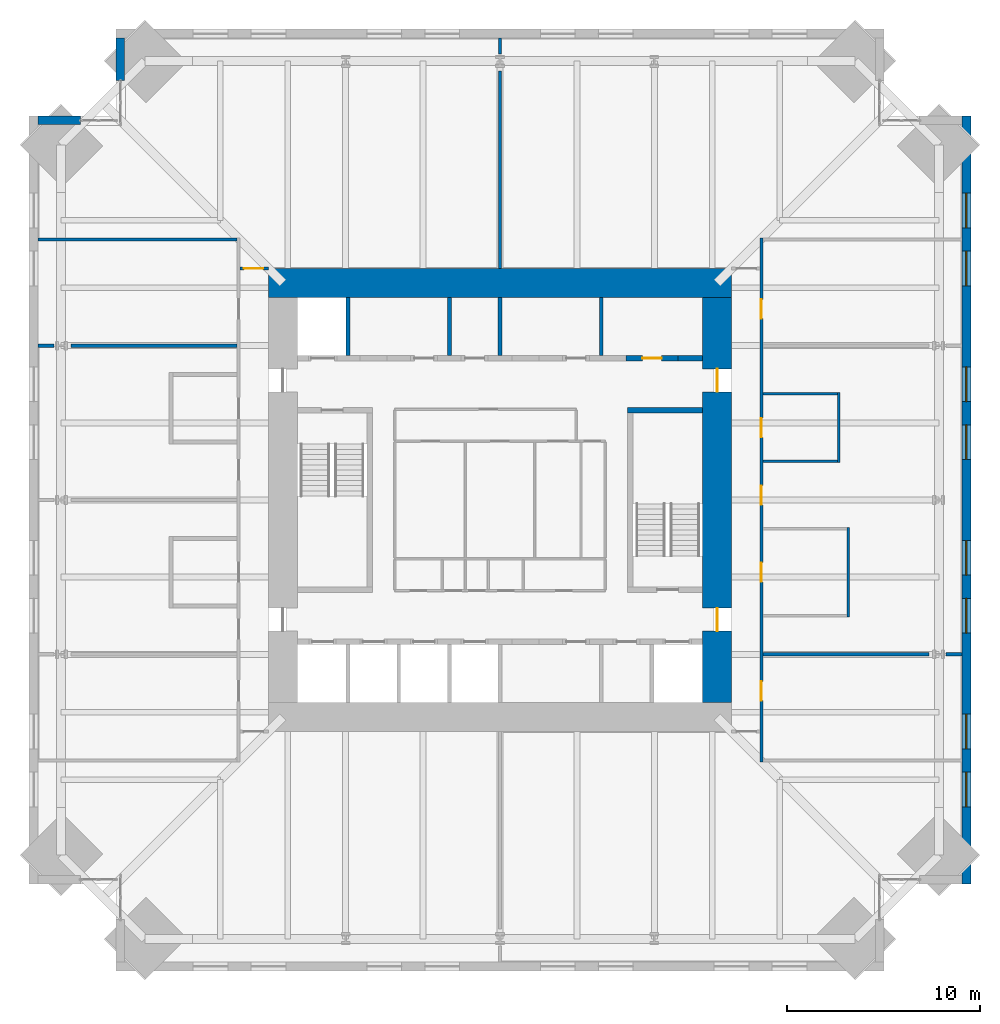
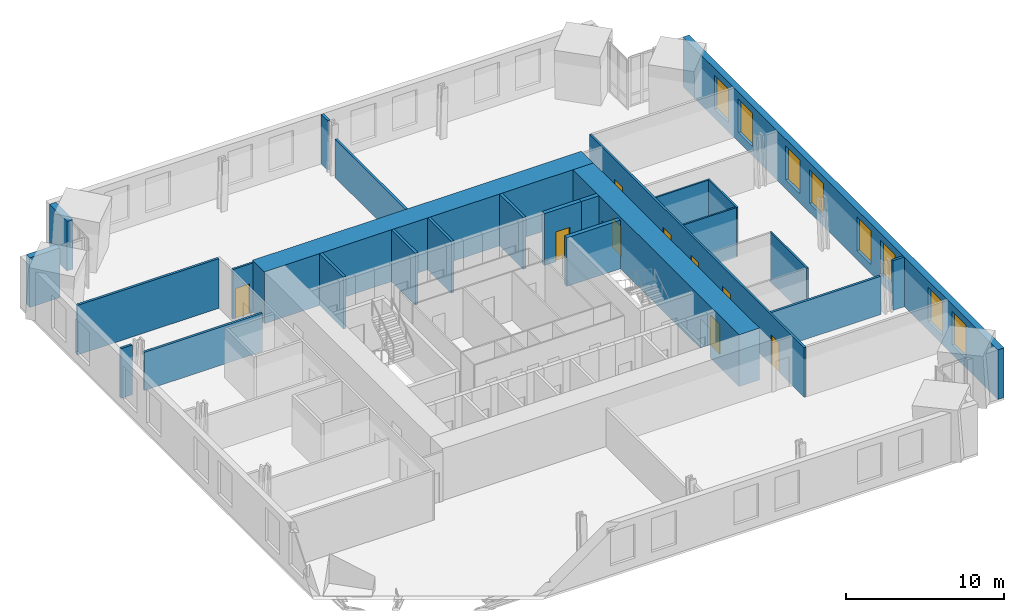
# One storey, part 13 of 15: 25 walls, 9 doors, 8 windows, 17 openings.
"""IFC4 building model written with IfcOpenShell, lengths in metres."""

import ifcopenshell
import ifcopenshell.guid

model = None  # the IFC model being written
_history = None  # IfcOwnerHistory: only IFC2X3 demands one
_inside = {}  # id of a spatial element -> (the spatial element, [elements in it])
_under = {}  # id of a project, library or spatial element -> (it, [spatial elements below it])
_declared = {}  # id of a project -> (the project, [libraries it declares])
_typed = {}  # id of a type object -> (the type object, [elements of that type])
_made_of = {}  # id of a material, layer set ... -> (it, [elements and type objects made of it])


def new_model(schema):
    """Start an empty IFC model of exactly this schema.

    Asked for "IFC4X3", IfcOpenShell would pick the latest addendum, in which some entities
    have other attributes; the version numbers below select the first issue.
    IFC2X3 requires an IfcOwnerHistory on every rooted entity: one is made here for all.
    """
    global model, _history
    if schema == "IFC4X3":
        model = ifcopenshell.file(schema_version=(4, 3, 0, 0))
    else:
        model = ifcopenshell.file(schema=schema)
    _inside.clear()
    _under.clear()
    _declared.clear()
    _typed.clear()
    _made_of.clear()
    _history = None
    if model.schema == "IFC2X3":
        org = make("IfcOrganization", Name="unknown")
        user = make(
            "IfcPersonAndOrganization",
            ThePerson=make("IfcPerson", FamilyName="unknown"),
            TheOrganization=org,
        )
        app = make(
            "IfcApplication",
            ApplicationDeveloper=org,
            Version="unknown",
            ApplicationFullName="unknown",
            ApplicationIdentifier="unknown",
        )
        _history = make(
            "IfcOwnerHistory",
            OwningUser=user,
            OwningApplication=app,
            ChangeAction="ADDED",
            CreationDate=0,
        )
    return model


def make(cls, **values):
    """One entity of the class cls with the attributes given. An attribute that is None is left unset."""
    return model.create_entity(
        cls, **{name: value for name, value in values.items() if value is not None}
    )


def rooted(cls, **values):
    """An entity with a GlobalId (a new one), such as an element, a storey or a relation."""
    return make(cls, GlobalId=ifcopenshell.guid.new(), OwnerHistory=_history, **values)


def si_unit(unit_type, name, prefix=None):
    """IfcSIUnit, for example si_unit("LENGTHUNIT", "METRE", prefix="MILLI")."""
    return make("IfcSIUnit", UnitType=unit_type, Prefix=prefix, Name=name)


def assignment(units):
    """IfcUnitAssignment: the units of a project."""
    return None if units is None else make("IfcUnitAssignment", Units=units)


def point(xyz):
    """IfcCartesianPoint."""
    return None if xyz is None else make("IfcCartesianPoint", Coordinates=xyz)


def direction(xyz):
    """IfcDirection."""
    return None if xyz is None else make("IfcDirection", DirectionRatios=xyz)


def frame(location, z_axis=None, x_axis=None):
    """IfcAxis2Placement3D, a coordinate frame: its origin and axes. An axis left out is left unset."""
    return make(
        "IfcAxis2Placement3D",
        Location=point(location),
        Axis=direction(z_axis),
        RefDirection=direction(x_axis),
    )


def frame_2d(location, x_axis=None):
    """IfcAxis2Placement2D, a coordinate frame in the plane: its origin and x axis."""
    return make(
        "IfcAxis2Placement2D", Location=point(location), RefDirection=direction(x_axis)
    )


def origin():
    """The frame at (0, 0, 0) with its axes left unset."""
    return frame((0.0, 0.0, 0.0))


def place(relative_to, where):
    """IfcLocalPlacement: puts the frame where relative to a parent placement (None: the world)."""
    return make(
        "IfcLocalPlacement", PlacementRelTo=relative_to, RelativePlacement=where
    )


def context(
    kind, dimensions, precision=None, world=None, true_north=None, identifier=None
):
    """IfcGeometricRepresentationContext, for example the 3D "Model" context."""
    return make(
        "IfcGeometricRepresentationContext",
        ContextIdentifier=identifier,
        ContextType=kind,
        CoordinateSpaceDimension=dimensions,
        Precision=precision,
        WorldCoordinateSystem=world,
        TrueNorth=true_north,
    )


def subcontext(parent, identifier, kind, view, scale=None):
    """IfcGeometricRepresentationSubContext, for example "Body" below "Model"."""
    return make(
        "IfcGeometricRepresentationSubContext",
        ContextIdentifier=identifier,
        ContextType=kind,
        ParentContext=parent,
        TargetScale=scale,
        TargetView=view,
    )


def project(units=None, contexts=None):
    """IfcProject with its units and contexts."""
    return rooted(
        "IfcProject",
        Name="project",
        RepresentationContexts=contexts,
        UnitsInContext=assignment(units),
    )


def spatial(cls, under=None, at=None, **own):
    """A site, building, storey or space (cls), placed at a placement, below another one or the project."""
    s = rooted(cls, ObjectPlacement=at, **own)
    if under is not None:
        _under.setdefault(under.id(), (under, []))[1].append(s)
    return s


def profile(cls, at=None, kind="AREA", **sizes):
    """A parametric profile (cls). Its sizes go by their IFC names, for example OverallWidth=200.0."""
    return make(cls, ProfileType=kind, Position=at, **sizes)


def rectangle(**sizes):
    """IfcRectangleProfileDef."""
    return profile("IfcRectangleProfileDef", **sizes)


def extrude(swept, where, along, depth):
    """IfcExtrudedAreaSolid: the profile swept, set in the frame where, extruded along a direction by depth."""
    return make(
        "IfcExtrudedAreaSolid",
        SweptArea=swept,
        Position=where,
        ExtrudedDirection=direction(along),
        Depth=depth,
    )


def shape(context_of_items, identifier, shape_type, items):
    """IfcShapeRepresentation: the items that make up one representation, for example the "Body"."""
    return make(
        "IfcShapeRepresentation",
        ContextOfItems=context_of_items,
        RepresentationIdentifier=identifier,
        RepresentationType=shape_type,
        Items=items,
    )


def material(Name=None, Category=None):
    """IfcMaterial."""
    return make("IfcMaterial", Name=Name, Category=Category)


def layer(
    of_material, thickness, ventilated=None, Name=None, Category=None, Priority=None
):
    """IfcMaterialLayer: one layer of a wall or slab, of a material (None: an air gap)."""
    return make(
        "IfcMaterialLayer",
        Material=of_material,
        LayerThickness=thickness,
        IsVentilated=ventilated,
        Name=Name,
        Category=Category,
        Priority=Priority,
    )


def layer_set(layers, Name=None):
    """IfcMaterialLayerSet."""
    return make("IfcMaterialLayerSet", MaterialLayers=layers, LayerSetName=Name)


def made_of(thing, what):
    """Note that an element or type object is made of a material, layer set ...; save() writes the relation."""
    if what is not None:
        _made_of.setdefault(what.id(), (what, []))[1].append(thing)
    return thing


def type_object(cls, material=None, **own):
    """A type object (cls), such as IfcWallType, which elements share."""
    return made_of(rooted(cls, **own), material)


def element(
    cls,
    number,
    at=None,
    inside=None,
    cuts=None,
    type_object=None,
    material=None,
    context=None,
    identifier="Body",
    shape_type=None,
    held_by="IfcProductDefinitionShape",
    body=None,
    shapes=None,
    **own,
):
    """One element of the class cls, such as IfcWall. Its Tag is "e" and its number.

    at: its placement. inside: the storey or other place that contains it. cuts: it is an
    opening in that element (IfcRelVoidsElement). A single representation is given by context,
    identifier, shape_type and body (its items); several are given by shapes. held_by: the class
    of the entity that holds the representations. save() writes the other relations.
    """
    e = rooted(cls, Tag="e%d" % number, ObjectPlacement=at, **own)
    if body is not None:
        shapes = [shape(context, identifier, shape_type, body)]
    if shapes is not None:
        e.Representation = make(held_by, Representations=shapes)
    if inside is not None:
        _inside.setdefault(inside.id(), (inside, []))[1].append(e)
    if cuts is not None:
        rooted(
            "IfcRelVoidsElement", RelatingBuildingElement=cuts, RelatedOpeningElement=e
        )
    if type_object is not None:
        _typed.setdefault(type_object.id(), (type_object, []))[1].append(e)
    return made_of(e, material)


def fill(opening, filler):
    """IfcRelFillsElement: the door or window that sits in an opening."""
    return rooted(
        "IfcRelFillsElement",
        RelatingOpeningElement=opening,
        RelatedBuildingElement=filler,
    )


def aggregate(whole, parts):
    """IfcRelAggregates: a whole, such as a stair, and the parts it consists of."""
    return rooted("IfcRelAggregates", RelatingObject=whole, RelatedObjects=parts)


def save(model, path):
    """Write the relations noted so far, then the file.

    IfcRelAggregates (storeys below a building ...), IfcRelContainedInSpatialStructure (elements
    in a storey), IfcRelDefinesByType, IfcRelAssociatesMaterial and IfcRelDeclares: one each for
    every whole, place, type object, material and project.
    """
    for whole, parts in _under.values():
        aggregate(whole, parts)
    for where, things in _inside.values():
        rooted(
            "IfcRelContainedInSpatialStructure",
            RelatedElements=things,
            RelatingStructure=where,
        )
    for kind, things in _typed.values():
        rooted("IfcRelDefinesByType", RelatedObjects=things, RelatingType=kind)
    for what, things in _made_of.values():
        rooted("IfcRelAssociatesMaterial", RelatedObjects=things, RelatingMaterial=what)
    for by, libraries in _declared.values():
        rooted("IfcRelDeclares", RelatingContext=by, RelatedDefinitions=libraries)
    model.write(path)


model = new_model("IFC4")

# Units and contexts
model_context = context("Model", 3, precision=1e-05, world=origin(), true_north=direction((0.0, 1.0)))
body_context = subcontext(model_context, "Body", "Model", "MODEL_VIEW")
ifc_project = project(units=[si_unit("LENGTHUNIT", "METRE"), si_unit("AREAUNIT", "SQUARE_METRE"), si_unit("VOLUMEUNIT", "CUBIC_METRE"), si_unit("PLANEANGLEUNIT", "RADIAN"), si_unit("MASSUNIT", "GRAM", prefix="KILO")], contexts=[model_context])

# Site, building, storey
site_placement = place(None, origin())
site = spatial("IfcSite", under=ifc_project, at=site_placement, CompositionType="ELEMENT")
building_placement = place(site_placement, origin())
building = spatial("IfcBuilding", under=site, at=building_placement, Name="Peilmerk Tower", CompositionType="ELEMENT")
storey_placement = place(building_placement, frame((0.0, 0.0, 201.800048828125)))
storey = spatial("IfcBuildingStorey", under=building, at=storey_placement, Name="L43", CompositionType="ELEMENT", Elevation=201.800048828125)

# Wall, openings, windows
ifc_material_1 = material(Name="Precast concrete C45/55, board-marked finish", Category="concrete")
ifc_layer_1 = layer(ifc_material_1, 0.449951171875)
ifc_layer_set_1 = layer_set([ifc_layer_1], Name="Precast concrete C45/55, board-marked finish")
wall_type_1 = type_object("IfcWallType", Name="EW1 450 precast concrete facade wall, board-marked", PredefinedType="SOLIDWALL", material=ifc_layer_set_1)
wall_1_placement = place(storey_placement, frame((24.175048828125, -19.89990234375, 0.0), z_axis=(0.0, 0.0, 1.0), x_axis=(0.0, 1.0, 0.0)))
wall_1 = element("IfcWall", 1, at=wall_1_placement, inside=storey, type_object=wall_type_1, Name="Facade wall E L43", PredefinedType="SOLIDWALL", context=body_context, shape_type="SweptSolid", body=[
    extrude(rectangle(XDim=39.7998046875, YDim=0.449951171875, at=frame_2d((19.89990234375, 0.0))), origin(), (0.0, 0.0, 1.0), 3.829833984375),
])
opening_1_placement = place(wall_1_placement, frame((4.0, 0.0, 0.699951171875)))
opening_1 = element("IfcOpeningElement", 2, at=opening_1_placement, cuts=wall_1, Name="Opening W1", PredefinedType="OPENING", context=body_context, shape_type="SweptSolid", body=[
    extrude(rectangle(XDim=1.800048828125, YDim=2.60009765625, at=frame_2d((0.89990234375, 1.300048828125))), frame((0.0, 0.23486328125, 0.0), z_axis=(0.0, -1.0, 0.0), x_axis=(1.0, 0.0, 0.0)), (0.0, 0.0, 1.0), 0.469970703125),
])
opening_2_placement = place(wall_1_placement, frame((7.0, 0.0, 0.699951171875)))
opening_2 = element("IfcOpeningElement", 3, at=opening_2_placement, cuts=wall_1, Name="Opening W1", PredefinedType="OPENING", context=body_context, shape_type="SweptSolid", body=[
    extrude(rectangle(XDim=1.800048828125, YDim=2.60009765625, at=frame_2d((0.89990234375, 1.300048828125))), frame((0.0, 0.23486328125, 0.0), z_axis=(0.0, -1.0, 0.0), x_axis=(1.0, 0.0, 0.0)), (0.0, 0.0, 1.0), 0.469970703125),
])
opening_3_placement = place(wall_1_placement, frame((13.0, 0.0, 0.699951171875)))
opening_3 = element("IfcOpeningElement", 4, at=opening_3_placement, cuts=wall_1, Name="Opening W1", PredefinedType="OPENING", context=body_context, shape_type="SweptSolid", body=[
    extrude(rectangle(XDim=1.800048828125, YDim=2.60009765625, at=frame_2d((0.89990234375, 1.300048828125))), frame((0.0, 0.23486328125, 0.0), z_axis=(0.0, -1.0, 0.0), x_axis=(1.0, 0.0, 0.0)), (0.0, 0.0, 1.0), 0.469970703125),
])
opening_4_placement = place(wall_1_placement, frame((16.0, 0.0, 0.699951171875)))
opening_4 = element("IfcOpeningElement", 5, at=opening_4_placement, cuts=wall_1, Name="Opening W1", PredefinedType="OPENING", context=body_context, shape_type="SweptSolid", body=[
    extrude(rectangle(XDim=1.800048828125, YDim=2.60009765625, at=frame_2d((0.89990234375, 1.300048828125))), frame((0.0, 0.23486328125, 0.0), z_axis=(0.0, -1.0, 0.0), x_axis=(1.0, 0.0, 0.0)), (0.0, 0.0, 1.0), 0.469970703125),
])
opening_5_placement = place(wall_1_placement, frame((22.0, 0.0, 0.699951171875)))
opening_5 = element("IfcOpeningElement", 6, at=opening_5_placement, cuts=wall_1, Name="Opening W1", PredefinedType="OPENING", context=body_context, shape_type="SweptSolid", body=[
    extrude(rectangle(XDim=1.800048828125, YDim=2.60009765625, at=frame_2d((0.89990234375, 1.300048828125))), frame((0.0, 0.23486328125, 0.0), z_axis=(0.0, -1.0, 0.0), x_axis=(1.0, 0.0, 0.0)), (0.0, 0.0, 1.0), 0.469970703125),
])
opening_6_placement = place(wall_1_placement, frame((25.0, 0.0, 0.699951171875)))
opening_6 = element("IfcOpeningElement", 7, at=opening_6_placement, cuts=wall_1, Name="Opening W1", PredefinedType="OPENING", context=body_context, shape_type="SweptSolid", body=[
    extrude(rectangle(XDim=1.800048828125, YDim=2.60009765625, at=frame_2d((0.89990234375, 1.300048828125))), frame((0.0, 0.23486328125, 0.0), z_axis=(0.0, -1.0, 0.0), x_axis=(1.0, 0.0, 0.0)), (0.0, 0.0, 1.0), 0.469970703125),
])
opening_7_placement = place(wall_1_placement, frame((31.0, 0.0, 0.699951171875)))
opening_7 = element("IfcOpeningElement", 8, at=opening_7_placement, cuts=wall_1, Name="Opening W1", PredefinedType="OPENING", context=body_context, shape_type="SweptSolid", body=[
    extrude(rectangle(XDim=1.800048828125, YDim=2.60009765625, at=frame_2d((0.89990234375, 1.300048828125))), frame((0.0, 0.23486328125, 0.0), z_axis=(0.0, -1.0, 0.0), x_axis=(1.0, 0.0, 0.0)), (0.0, 0.0, 1.0), 0.469970703125),
])
opening_8_placement = place(wall_1_placement, frame((34.0, 0.0, 0.699951171875)))
opening_8 = element("IfcOpeningElement", 9, at=opening_8_placement, cuts=wall_1, Name="Opening W1", PredefinedType="OPENING", context=body_context, shape_type="SweptSolid", body=[
    extrude(rectangle(XDim=1.800048828125, YDim=2.60009765625, at=frame_2d((0.89990234375, 1.300048828125))), frame((0.0, 0.23486328125, 0.0), z_axis=(0.0, -1.0, 0.0), x_axis=(1.0, 0.0, 0.0)), (0.0, 0.0, 1.0), 0.469970703125),
])
ifc_material_2 = material(Name="Aluminium frame, clear double glazing", Category="aluminium")
window_type = type_object("IfcWindowType", Name="W1 1800x2600 office window", PartitioningType="SINGLE_PANEL", PredefinedType="WINDOW", material=ifc_material_2)
window_1_placement = place(opening_1_placement, origin())
window_1 = element("IfcWindow", 10, at=window_1_placement, inside=storey, type_object=window_type, Name="Window W1 L43", OverallHeight=2.60009765625, OverallWidth=1.800048828125, PartitioningType="SINGLE_PANEL", PredefinedType="WINDOW", context=body_context, shape_type="SweptSolid", body=[
    extrude(rectangle(XDim=1.800048828125, YDim=2.60009765625, at=frame_2d((0.89990234375, 1.300048828125))), frame((0.0, 0.030029296875, 0.0), z_axis=(0.0, -1.0, 0.0), x_axis=(1.0, 0.0, 0.0)), (0.0, 0.0, 1.0), 0.06005859375),
])
fill(opening_1, window_1)
window_2_placement = place(opening_2_placement, origin())
window_2 = element("IfcWindow", 11, at=window_2_placement, inside=storey, type_object=window_type, Name="Window W1 L43", OverallHeight=2.60009765625, OverallWidth=1.800048828125, PartitioningType="SINGLE_PANEL", PredefinedType="WINDOW", context=body_context, shape_type="SweptSolid", body=[
    extrude(rectangle(XDim=1.800048828125, YDim=2.60009765625, at=frame_2d((0.89990234375, 1.300048828125))), frame((0.0, 0.030029296875, 0.0), z_axis=(0.0, -1.0, 0.0), x_axis=(1.0, 0.0, 0.0)), (0.0, 0.0, 1.0), 0.06005859375),
])
fill(opening_2, window_2)
window_3_placement = place(opening_3_placement, origin())
window_3 = element("IfcWindow", 12, at=window_3_placement, inside=storey, type_object=window_type, Name="Window W1 L43", OverallHeight=2.60009765625, OverallWidth=1.800048828125, PartitioningType="SINGLE_PANEL", PredefinedType="WINDOW", context=body_context, shape_type="SweptSolid", body=[
    extrude(rectangle(XDim=1.800048828125, YDim=2.60009765625, at=frame_2d((0.89990234375, 1.300048828125))), frame((0.0, 0.030029296875, 0.0), z_axis=(0.0, -1.0, 0.0), x_axis=(1.0, 0.0, 0.0)), (0.0, 0.0, 1.0), 0.06005859375),
])
fill(opening_3, window_3)
window_4_placement = place(opening_4_placement, origin())
window_4 = element("IfcWindow", 13, at=window_4_placement, inside=storey, type_object=window_type, Name="Window W1 L43", OverallHeight=2.60009765625, OverallWidth=1.800048828125, PartitioningType="SINGLE_PANEL", PredefinedType="WINDOW", context=body_context, shape_type="SweptSolid", body=[
    extrude(rectangle(XDim=1.800048828125, YDim=2.60009765625, at=frame_2d((0.89990234375, 1.300048828125))), frame((0.0, 0.030029296875, 0.0), z_axis=(0.0, -1.0, 0.0), x_axis=(1.0, 0.0, 0.0)), (0.0, 0.0, 1.0), 0.06005859375),
])
fill(opening_4, window_4)
window_5_placement = place(opening_5_placement, origin())
window_5 = element("IfcWindow", 14, at=window_5_placement, inside=storey, type_object=window_type, Name="Window W1 L43", OverallHeight=2.60009765625, OverallWidth=1.800048828125, PartitioningType="SINGLE_PANEL", PredefinedType="WINDOW", context=body_context, shape_type="SweptSolid", body=[
    extrude(rectangle(XDim=1.800048828125, YDim=2.60009765625, at=frame_2d((0.89990234375, 1.300048828125))), frame((0.0, 0.030029296875, 0.0), z_axis=(0.0, -1.0, 0.0), x_axis=(1.0, 0.0, 0.0)), (0.0, 0.0, 1.0), 0.06005859375),
])
fill(opening_5, window_5)
window_6_placement = place(opening_6_placement, origin())
window_6 = element("IfcWindow", 15, at=window_6_placement, inside=storey, type_object=window_type, Name="Window W1 L43", OverallHeight=2.60009765625, OverallWidth=1.800048828125, PartitioningType="SINGLE_PANEL", PredefinedType="WINDOW", context=body_context, shape_type="SweptSolid", body=[
    extrude(rectangle(XDim=1.800048828125, YDim=2.60009765625, at=frame_2d((0.89990234375, 1.300048828125))), frame((0.0, 0.030029296875, 0.0), z_axis=(0.0, -1.0, 0.0), x_axis=(1.0, 0.0, 0.0)), (0.0, 0.0, 1.0), 0.06005859375),
])
fill(opening_6, window_6)
window_7_placement = place(opening_7_placement, origin())
window_7 = element("IfcWindow", 16, at=window_7_placement, inside=storey, type_object=window_type, Name="Window W1 L43", OverallHeight=2.60009765625, OverallWidth=1.800048828125, PartitioningType="SINGLE_PANEL", PredefinedType="WINDOW", context=body_context, shape_type="SweptSolid", body=[
    extrude(rectangle(XDim=1.800048828125, YDim=2.60009765625, at=frame_2d((0.89990234375, 1.300048828125))), frame((0.0, 0.030029296875, 0.0), z_axis=(0.0, -1.0, 0.0), x_axis=(1.0, 0.0, 0.0)), (0.0, 0.0, 1.0), 0.06005859375),
])
fill(opening_7, window_7)
window_8_placement = place(opening_8_placement, origin())
window_8 = element("IfcWindow", 17, at=window_8_placement, inside=storey, type_object=window_type, Name="Window W1 L43", OverallHeight=2.60009765625, OverallWidth=1.800048828125, PartitioningType="SINGLE_PANEL", PredefinedType="WINDOW", context=body_context, shape_type="SweptSolid", body=[
    extrude(rectangle(XDim=1.800048828125, YDim=2.60009765625, at=frame_2d((0.89990234375, 1.300048828125))), frame((0.0, 0.030029296875, 0.0), z_axis=(0.0, -1.0, 0.0), x_axis=(1.0, 0.0, 0.0)), (0.0, 0.0, 1.0), 0.06005859375),
])
fill(opening_8, window_8)

# Walls
for number, where, z_axis, x_axis, name in (
    (18, (-19.675048828125, 21.753662109375, 0.0), (0.0, 0.0, 1.0), (0.0, 1.0, 0.0), "Facade wall NWA L43"),
    (19, (-21.753662109375, 19.675048828125, 0.0), (0.0, 0.0, 1.0), (-1.0, 0.0, 0.0), "Facade wall NWB L43"),
):
    element("IfcWall", number, at=place(storey_placement, frame(where, z_axis=z_axis, x_axis=x_axis)), inside=storey, type_object=wall_type_1, Name=name, PredefinedType="SOLIDWALL", context=body_context, shape_type="SweptSolid", body=[
        extrude(rectangle(XDim=2.1962890625, YDim=0.449951171875, at=frame_2d((1.09814453125, 0.0))), origin(), (0.0, 0.0, 1.0), 3.829833984375),
    ])

# Wall, openings, doors
ifc_material_3 = material(Name="Calcium silicate block", Category="masonry")
ifc_layer_2 = layer(ifc_material_3, 0.14990234375)
ifc_layer_set_2 = layer_set([ifc_layer_2], Name="Calcium silicate block")
wall_type_2 = type_object("IfcWallType", Name="IW1 150 corridor partition, EI 60", PredefinedType="PARTITIONING", material=ifc_layer_set_2)
wall_2_placement = place(storey_placement, frame((13.550048828125, -13.574951171875, 0.0), z_axis=(0.0, 0.0, 1.0), x_axis=(0.0, 1.0, 0.0)))
wall_2 = element("IfcWall", 20, at=wall_2_placement, inside=storey, type_object=wall_type_2, Name="Corridor wall E L43", PredefinedType="PARTITIONING", context=body_context, shape_type="SweptSolid", body=[
    extrude(rectangle(XDim=27.14990234375, YDim=0.14990234375, at=frame_2d((13.574951171875, 0.0))), origin(), (0.0, 0.0, 1.0), 3.829833984375),
])
opening_9_placement = place(wall_2_placement, frame((3.175048828125, 0.0, 0.0)))
opening_9 = element("IfcOpeningElement", 21, at=opening_9_placement, cuts=wall_2, Name="Opening D1", PredefinedType="OPENING", context=body_context, shape_type="SweptSolid", body=[
    extrude(rectangle(XDim=1.0, YDim=2.300048828125, at=frame_2d((0.5, 1.14990234375))), frame((0.0, 0.0849609375, 0.0), z_axis=(0.0, -1.0, 0.0), x_axis=(1.0, 0.0, 0.0)), (0.0, 0.0, 1.0), 0.169921875),
])
opening_10_placement = place(wall_2_placement, frame((13.324951171875, 0.0, 0.0)))
opening_10 = element("IfcOpeningElement", 22, at=opening_10_placement, cuts=wall_2, Name="Opening D1", PredefinedType="OPENING", context=body_context, shape_type="SweptSolid", body=[
    extrude(rectangle(XDim=1.0, YDim=2.300048828125, at=frame_2d((0.5, 1.14990234375))), frame((0.0, 0.0849609375, 0.0), z_axis=(0.0, -1.0, 0.0), x_axis=(1.0, 0.0, 0.0)), (0.0, 0.0, 1.0), 0.169921875),
])
opening_11_placement = place(wall_2_placement, frame((22.97509765625, 0.0, 0.0)))
opening_11 = element("IfcOpeningElement", 23, at=opening_11_placement, cuts=wall_2, Name="Opening D1", PredefinedType="OPENING", context=body_context, shape_type="SweptSolid", body=[
    extrude(rectangle(XDim=1.0, YDim=2.300048828125, at=frame_2d((0.5, 1.14990234375))), frame((0.0, 0.0849609375, 0.0), z_axis=(0.0, -1.0, 0.0), x_axis=(1.0, 0.0, 0.0)), (0.0, 0.0, 1.0), 0.169921875),
])
opening_12_placement = place(wall_2_placement, frame((9.324951171875, 0.0, 0.0)))
opening_12 = element("IfcOpeningElement", 24, at=opening_12_placement, cuts=wall_2, Name="Opening D1", PredefinedType="OPENING", context=body_context, shape_type="SweptSolid", body=[
    extrude(rectangle(XDim=1.0, YDim=2.300048828125, at=frame_2d((0.5, 1.14990234375))), frame((0.0, 0.0849609375, 0.0), z_axis=(0.0, -1.0, 0.0), x_axis=(1.0, 0.0, 0.0)), (0.0, 0.0, 1.0), 0.169921875),
])
opening_13_placement = place(wall_2_placement, frame((16.824951171875, 0.0, 0.0)))
opening_13 = element("IfcOpeningElement", 25, at=opening_13_placement, cuts=wall_2, Name="Opening D1", PredefinedType="OPENING", context=body_context, shape_type="SweptSolid", body=[
    extrude(rectangle(XDim=1.0, YDim=2.300048828125, at=frame_2d((0.5, 1.14990234375))), frame((0.0, 0.0849609375, 0.0), z_axis=(0.0, -1.0, 0.0), x_axis=(1.0, 0.0, 0.0)), (0.0, 0.0, 1.0), 0.169921875),
])
ifc_material_4 = material(Name="Timber door in steel frame", Category="steel")
door_type_1 = type_object("IfcDoorType", Name="D1 1000x2300 room door, EI2 30", OperationType="SINGLE_SWING_LEFT", PredefinedType="DOOR", material=ifc_material_4)
door_1_placement = place(opening_9_placement, frame((1.0, 0.0, 0.0), z_axis=(0.0, 0.0, 1.0), x_axis=(-1.0, 0.0, 0.0)))
door_1 = element("IfcDoor", 26, at=door_1_placement, inside=storey, type_object=door_type_1, Name="Door Engineering office L43", OperationType="SINGLE_SWING_LEFT", OverallHeight=2.300048828125, OverallWidth=1.0, PredefinedType="DOOR", context=body_context, shape_type="SweptSolid", body=[
    extrude(rectangle(XDim=1.0, YDim=2.300048828125, at=frame_2d((0.5, 1.14990234375))), frame((0.0, 0.02490234375, 0.0), z_axis=(0.0, -1.0, 0.0), x_axis=(1.0, 0.0, 0.0)), (0.0, 0.0, 1.0), 0.050048828125),
])
fill(opening_9, door_1)
door_2_placement = place(opening_10_placement, frame((1.0, 0.0, 0.0), z_axis=(0.0, 0.0, 1.0), x_axis=(-1.0, 0.0, 0.0)))
door_2 = element("IfcDoor", 27, at=door_2_placement, inside=storey, type_object=door_type_1, Name="Door Network monitoring room L43", OperationType="SINGLE_SWING_LEFT", OverallHeight=2.300048828125, OverallWidth=1.0, PredefinedType="DOOR", context=body_context, shape_type="SweptSolid", body=[
    extrude(rectangle(XDim=1.0, YDim=2.300048828125, at=frame_2d((0.5, 1.14990234375))), frame((0.0, 0.02490234375, 0.0), z_axis=(0.0, -1.0, 0.0), x_axis=(1.0, 0.0, 0.0)), (0.0, 0.0, 1.0), 0.050048828125),
])
fill(opening_10, door_2)
door_3_placement = place(opening_11_placement, frame((1.0, 0.0, 0.0), z_axis=(0.0, 0.0, 1.0), x_axis=(-1.0, 0.0, 0.0)))
door_3 = element("IfcDoor", 28, at=door_3_placement, inside=storey, type_object=door_type_1, Name="Door Engineering office L43", OperationType="SINGLE_SWING_LEFT", OverallHeight=2.300048828125, OverallWidth=1.0, PredefinedType="DOOR", context=body_context, shape_type="SweptSolid", body=[
    extrude(rectangle(XDim=1.0, YDim=2.300048828125, at=frame_2d((0.5, 1.14990234375))), frame((0.0, 0.02490234375, 0.0), z_axis=(0.0, -1.0, 0.0), x_axis=(1.0, 0.0, 0.0)), (0.0, 0.0, 1.0), 0.050048828125),
])
fill(opening_11, door_3)
door_4_placement = place(opening_12_placement, frame((1.0, 0.0, 0.0), z_axis=(0.0, 0.0, 1.0), x_axis=(-1.0, 0.0, 0.0)))
door_4 = element("IfcDoor", 29, at=door_4_placement, inside=storey, type_object=door_type_1, Name="Door Meeting room L43", OperationType="SINGLE_SWING_LEFT", OverallHeight=2.300048828125, OverallWidth=1.0, PredefinedType="DOOR", context=body_context, shape_type="SweptSolid", body=[
    extrude(rectangle(XDim=1.0, YDim=2.300048828125, at=frame_2d((0.5, 1.14990234375))), frame((0.0, 0.02490234375, 0.0), z_axis=(0.0, -1.0, 0.0), x_axis=(1.0, 0.0, 0.0)), (0.0, 0.0, 1.0), 0.050048828125),
])
fill(opening_12, door_4)
door_5_placement = place(opening_13_placement, frame((1.0, 0.0, 0.0), z_axis=(0.0, 0.0, 1.0), x_axis=(-1.0, 0.0, 0.0)))
door_5 = element("IfcDoor", 30, at=door_5_placement, inside=storey, type_object=door_type_1, Name="Door Pantry L43", OperationType="SINGLE_SWING_LEFT", OverallHeight=2.300048828125, OverallWidth=1.0, PredefinedType="DOOR", context=body_context, shape_type="SweptSolid", body=[
    extrude(rectangle(XDim=1.0, YDim=2.300048828125, at=frame_2d((0.5, 1.14990234375))), frame((0.0, 0.02490234375, 0.0), z_axis=(0.0, -1.0, 0.0), x_axis=(1.0, 0.0, 0.0)), (0.0, 0.0, 1.0), 0.050048828125),
])
fill(opening_13, door_5)

# Wall, opening, door
wall_3_placement = place(storey_placement, frame((-13.47509765625, 12.0, 0.0), z_axis=(0.0, 0.0, 1.0), x_axis=(1.0, 0.0, 0.0)))
wall_3 = element("IfcWall", 31, at=wall_3_placement, inside=storey, type_object=wall_type_2, Name="Corridor wall NW L43", PredefinedType="PARTITIONING", context=body_context, shape_type="SweptSolid", body=[
    extrude(rectangle(XDim=1.47509765625, YDim=0.14990234375, at=frame_2d((0.737548828125, 0.0))), origin(), (0.0, 0.0, 1.0), 3.829833984375),
])
opening_14_placement = place(wall_3_placement, frame((0.199951171875, 0.0, 0.0)))
opening_14 = element("IfcOpeningElement", 32, at=opening_14_placement, cuts=wall_3, Name="Opening D1", PredefinedType="OPENING", context=body_context, shape_type="SweptSolid", body=[
    extrude(rectangle(XDim=1.0, YDim=2.300048828125, at=frame_2d((0.5, 1.14990234375))), frame((0.0, 0.0849609375, 0.0), z_axis=(0.0, -1.0, 0.0), x_axis=(1.0, 0.0, 0.0)), (0.0, 0.0, 1.0), 0.169921875),
])
door_6_placement = place(opening_14_placement, origin())
door_6 = element("IfcDoor", 33, at=door_6_placement, inside=storey, type_object=door_type_1, Name="Door Engineering office L43", OperationType="SINGLE_SWING_LEFT", OverallHeight=2.300048828125, OverallWidth=1.0, PredefinedType="DOOR", context=body_context, shape_type="SweptSolid", body=[
    extrude(rectangle(XDim=1.0, YDim=2.300048828125, at=frame_2d((0.5, 1.14990234375))), frame((0.0, 0.02490234375, 0.0), z_axis=(0.0, -1.0, 0.0), x_axis=(1.0, 0.0, 0.0)), (0.0, 0.0, 1.0), 0.050048828125),
])
fill(opening_14, door_6)

# Walls
ifc_material_5 = material(Name="Concrete C35/45", Category="concrete")
ifc_layer_3 = layer(ifc_material_5, 0.300048828125)
ifc_layer_set_3 = layer_set([ifc_layer_3], Name="Concrete C35/45")
wall_type_3 = type_object("IfcWallType", Name="IW3 300 concrete stair enclosure wall, EI 120", PredefinedType="SOLIDWALL", material=ifc_layer_set_3)
wall_4_placement = place(storey_placement, frame((6.60009765625, 4.64990234375, 0.0), z_axis=(0.0, 0.0, 1.0), x_axis=(1.0, 0.0, 0.0)))
element("IfcWall", 34, at=wall_4_placement, inside=storey, type_object=wall_type_3, Name="Stair 2 enclosure L43", PredefinedType="SOLIDWALL", context=body_context, shape_type="SweptSolid", body=[
    extrude(rectangle(XDim=3.89990234375, YDim=0.300048828125, at=frame_2d((1.949951171875, 0.0))), origin(), (0.0, 0.0, 1.0), 3.75),
])
ifc_material_6 = material(Name="Plasterboard on steel studs, double boarded with mineral wool", Category="steel")
ifc_layer_4 = layer(ifc_material_6, 0.125)
ifc_layer_set_4 = layer_set([ifc_layer_4], Name="Plasterboard on steel studs, double boarded with mineral wool")
wall_type_4 = type_object("IfcWallType", Name="IW7 125 acoustic partition, EI 30", PredefinedType="PARTITIONING", material=ifc_layer_set_4)
wall_5_placement = place(storey_placement, frame((18.050048828125, -6.0625, 0.0), z_axis=(0.0, 0.0, 1.0), x_axis=(0.0, 1.0, 0.0)))
element("IfcWall", 35, at=wall_5_placement, inside=storey, type_object=wall_type_4, Name="Acoustic partition Meeting room L43", PredefinedType="PARTITIONING", context=body_context, shape_type="SweptSolid", body=[
    extrude(rectangle(XDim=4.625, YDim=0.125, at=frame_2d((2.3125, 0.0))), origin(), (0.0, 0.0, 1.0), 3.829833984375),
])
wall_6_placement = place(storey_placement, frame((17.550048828125, 1.9375, 0.0), z_axis=(0.0, 0.0, 1.0), x_axis=(0.0, 1.0, 0.0)))
element("IfcWall", 36, at=wall_6_placement, inside=storey, type_object=wall_type_4, Name="Acoustic partition Pantry L43", PredefinedType="PARTITIONING", context=body_context, shape_type="SweptSolid", body=[
    extrude(rectangle(XDim=3.625, YDim=0.125, at=frame_2d((1.8125, 0.0))), origin(), (0.0, 0.0, 1.0), 3.829833984375),
])
for number, where, z_axis, x_axis, name in (
    (37, (13.625, 2.0, 0.0), (0.0, 0.0, 1.0), (1.0, 0.0, 0.0), "Acoustic partition Pantry L43"),
    (38, (13.625, 5.5, 0.0), (0.0, 0.0, 1.0), (1.0, 0.0, 0.0), "Acoustic partition Pantry L43"),
):
    element("IfcWall", number, at=place(storey_placement, frame(where, z_axis=z_axis, x_axis=x_axis)), inside=storey, type_object=wall_type_4, Name=name, PredefinedType="PARTITIONING", context=body_context, shape_type="SweptSolid", body=[
        extrude(rectangle(XDim=3.862548828125, YDim=0.125, at=frame_2d((1.93115234375, 0.0))), origin(), (0.0, 0.0, 1.0), 3.829833984375),
    ])
ifc_layer_5 = layer(ifc_material_3, 0.175048828125)
ifc_layer_set_5 = layer_set([ifc_layer_5], Name="Calcium silicate block")
wall_type_5 = type_object("IfcWallType", Name="IW8 175 tenant separating wall, EI 60", PredefinedType="PARTITIONING", material=ifc_layer_set_5)
wall_7_placement = place(storey_placement, frame((-23.949951171875, 13.5, 0.0), z_axis=(0.0, 0.0, 1.0), x_axis=(1.0, 0.0, 0.0)))
element("IfcWall", 39, at=wall_7_placement, inside=storey, type_object=wall_type_5, Name="Tenant separating wall NW L43", PredefinedType="PARTITIONING", context=body_context, shape_type="SweptSolid", body=[
    extrude(rectangle(XDim=10.324951171875, YDim=0.175048828125, at=frame_2d((5.16259765625, 0.0))), origin(), (0.0, 0.0, 1.0), 3.829833984375),
])
wall_8_placement = place(storey_placement, frame((0.0, 12.0, 0.0), z_axis=(0.0, 0.0, 1.0), x_axis=(0.0, 1.0, 0.0)))
element("IfcWall", 40, at=wall_8_placement, inside=storey, type_object=wall_type_5, Name="Tenant separating wall N1 L43", PredefinedType="PARTITIONING", context=body_context, shape_type="SweptSolid", body=[
    extrude(rectangle(XDim=10.234375, YDim=0.175048828125, at=frame_2d((5.1171875, 0.0))), origin(), (0.0, 0.0, 1.0), 2.93994140625),
])
wall_9_placement = place(storey_placement, frame((0.0, 23.12353515625, 0.0), z_axis=(0.0, 0.0, 1.0), x_axis=(0.0, 1.0, 0.0)))
element("IfcWall", 41, at=wall_9_placement, inside=storey, type_object=wall_type_5, Name="Tenant separating wall N1b L43", PredefinedType="PARTITIONING", context=body_context, shape_type="SweptSolid", body=[
    extrude(rectangle(XDim=0.826416015625, YDim=0.175048828125, at=frame_2d((0.4130859375, 0.0))), origin(), (0.0, 0.0, 1.0), 3.829833984375),
])
wall_10_placement = place(storey_placement, frame((13.625, -8.0, 0.0), z_axis=(0.0, 0.0, 1.0), x_axis=(1.0, 0.0, 0.0)))
element("IfcWall", 42, at=wall_10_placement, inside=storey, type_object=wall_type_5, Name="Tenant separating wall E1 L43", PredefinedType="PARTITIONING", context=body_context, shape_type="SweptSolid", body=[
    extrude(rectangle(XDim=8.609375, YDim=0.175048828125, at=frame_2d((4.3046875, 0.0))), origin(), (0.0, 0.0, 1.0), 2.93994140625),
])
wall_11_placement = place(storey_placement, frame((23.12353515625, -8.0, 0.0), z_axis=(0.0, 0.0, 1.0), x_axis=(1.0, 0.0, 0.0)))
element("IfcWall", 43, at=wall_11_placement, inside=storey, type_object=wall_type_5, Name="Tenant separating wall E1b L43", PredefinedType="PARTITIONING", context=body_context, shape_type="SweptSolid", body=[
    extrude(rectangle(XDim=0.826416015625, YDim=0.175048828125, at=frame_2d((0.4130859375, 0.0))), origin(), (0.0, 0.0, 1.0), 3.829833984375),
])
wall_12_placement = place(storey_placement, frame((-13.625, 8.0, 0.0), z_axis=(0.0, 0.0, 1.0), x_axis=(-1.0, 0.0, 0.0)))
element("IfcWall", 44, at=wall_12_placement, inside=storey, type_object=wall_type_5, Name="Tenant separating wall W3 L43", PredefinedType="PARTITIONING", context=body_context, shape_type="SweptSolid", body=[
    extrude(rectangle(XDim=8.609375, YDim=0.175048828125, at=frame_2d((4.3046875, 0.0))), origin(), (0.0, 0.0, 1.0), 2.93994140625),
])
wall_13_placement = place(storey_placement, frame((-23.12353515625, 8.0, 0.0), z_axis=(0.0, 0.0, 1.0), x_axis=(-1.0, 0.0, 0.0)))
element("IfcWall", 45, at=wall_13_placement, inside=storey, type_object=wall_type_5, Name="Tenant separating wall W3b L43", PredefinedType="PARTITIONING", context=body_context, shape_type="SweptSolid", body=[
    extrude(rectangle(XDim=0.826416015625, YDim=0.175048828125, at=frame_2d((0.4130859375, 0.0))), origin(), (0.0, 0.0, 1.0), 3.829833984375),
])
ifc_layer_6 = layer(ifc_material_3, 0.199951171875)
ifc_layer_set_6 = layer_set([ifc_layer_6], Name="Calcium silicate block")
wall_type_6 = type_object("IfcWallType", Name="SH1 200 shaft dividing wall, EI 120", PredefinedType="PARTITIONING", material=ifc_layer_set_6)
for number, where, z_axis, x_axis, name in (
    (46, (-7.875, 7.5, 0.0), (0.0, 0.0, 1.0), (0.0, 1.0, 0.0), "Shaft wall N FL1 L43"),
    (47, (-2.625, 7.5, 0.0), (0.0, 0.0, 1.0), (0.0, 1.0, 0.0), "Shaft wall N A2 L43"),
    (48, (0.0, 7.5, 0.0), (0.0, 0.0, 1.0), (0.0, 1.0, 0.0), "Shaft wall N A3 L43"),
    (49, (5.25, 7.5, 0.0), (0.0, 0.0, 1.0), (0.0, 1.0, 0.0), "Shaft wall N S2 L43"),
):
    element("IfcWall", number, at=place(storey_placement, frame(where, z_axis=z_axis, x_axis=x_axis)), inside=storey, type_object=wall_type_6, Name=name, PredefinedType="PARTITIONING", context=body_context, shape_type="SweptSolid", body=[
        extrude(rectangle(XDim=3.0, YDim=0.199951171875, at=frame_2d((1.5, 0.0))), origin(), (0.0, 0.0, 1.0), 4.0),
    ])

# Wall, opening, door
ifc_layer_7 = layer(ifc_material_3, 0.300048828125)
ifc_layer_set_7 = layer_set([ifc_layer_7], Name="Calcium silicate block")
wall_type_7 = type_object("IfcWallType", Name="SH2 300 lift landing door panel, EI 120", PredefinedType="PARTITIONING", material=ifc_layer_set_7)
wall_14_placement = place(storey_placement, frame((6.52490234375, 7.35009765625, 0.0), z_axis=(0.0, 0.0, 1.0), x_axis=(1.0, 0.0, 0.0)))
wall_14 = element("IfcWall", 50, at=wall_14_placement, inside=storey, type_object=wall_type_7, Name="Lift door panel N GL1 L43", PredefinedType="PARTITIONING", context=body_context, shape_type="SweptSolid", body=[
    extrude(rectangle(XDim=2.7001953125, YDim=0.300048828125, at=frame_2d((1.35009765625, 0.0))), origin(), (0.0, 0.0, 1.0), 4.0),
])
opening_15_placement = place(wall_14_placement, frame((0.85009765625, 0.0, 0.0)))
opening_15 = element("IfcOpeningElement", 51, at=opening_15_placement, cuts=wall_14, Name="Opening D10", PredefinedType="OPENING", context=body_context, shape_type="SweptSolid", body=[
    extrude(rectangle(XDim=1.0, YDim=2.300048828125, at=frame_2d((0.5, 1.14990234375))), frame((0.0, 0.159912109375, 0.0), z_axis=(0.0, -1.0, 0.0), x_axis=(1.0, 0.0, 0.0)), (0.0, 0.0, 1.0), 0.320068359375),
])
ifc_material_7 = material(Name="Steel door in steel frame", Category="steel")
door_type_2 = type_object("IfcDoorType", Name="D10 1000x2300 core room door, EI2 60", OperationType="SINGLE_SWING_RIGHT", PredefinedType="DOOR", material=ifc_material_7)
door_7_placement = place(opening_15_placement, origin())
door_7 = element("IfcDoor", 52, at=door_7_placement, inside=storey, type_object=door_type_2, Name="Door Staff WC L43", OperationType="SINGLE_SWING_RIGHT", OverallHeight=2.300048828125, OverallWidth=1.0, PredefinedType="DOOR", context=body_context, shape_type="SweptSolid", body=[
    extrude(rectangle(XDim=1.0, YDim=2.300048828125, at=frame_2d((0.5, 1.14990234375))), frame((0.0, 0.02490234375, 0.0), z_axis=(0.0, -1.0, 0.0), x_axis=(1.0, 0.0, 0.0)), (0.0, 0.0, 1.0), 0.050048828125),
])
fill(opening_15, door_7)

# Wall
ifc_material_8 = material(Name="Concrete C55/67", Category="concrete")
ifc_layer_8 = layer(ifc_material_8, 1.5)
ifc_layer_set_8 = layer_set([ifc_layer_8], Name="Concrete C55/67")
wall_type_8 = type_object("IfcWallType", Name="SW1 1500 core wall", PredefinedType="SHEAR", material=ifc_layer_set_8)
wall_15_placement = place(storey_placement, frame((-12.0, 11.25, 0.0), z_axis=(0.0, 0.0, 1.0), x_axis=(1.0, 0.0, 0.0)))
element("IfcWall", 53, at=wall_15_placement, inside=storey, type_object=wall_type_8, Name="Core wall N L43", PredefinedType="SHEAR", context=body_context, shape_type="SweptSolid", body=[
    extrude(rectangle(XDim=24.0, YDim=1.5, at=frame_2d((12.0, 0.0))), origin(), (0.0, 0.0, 1.0), 4.0),
])

# Wall, openings, doors
wall_16_placement = place(storey_placement, frame((11.25, 10.5, 0.0), z_axis=(0.0, 0.0, 1.0), x_axis=(0.0, -1.0, 0.0)))
wall_16 = element("IfcWall", 54, at=wall_16_placement, inside=storey, type_object=wall_type_8, Name="Core wall E L43", PredefinedType="SHEAR", context=body_context, shape_type="SweptSolid", body=[
    extrude(rectangle(XDim=21.0, YDim=1.5, at=frame_2d((10.5, 0.0))), origin(), (0.0, 0.0, 1.0), 4.0),
])
opening_16_placement = place(wall_16_placement, frame((3.699951171875, 0.0, 0.0)))
opening_16 = element("IfcOpeningElement", 55, at=opening_16_placement, cuts=wall_16, Name="Opening D3", PredefinedType="OPENING", context=body_context, shape_type="SweptSolid", body=[
    extrude(rectangle(XDim=1.199951171875, YDim=2.300048828125, at=frame_2d((0.60009765625, 1.14990234375))), frame((0.0, 0.760009765625, 0.0), z_axis=(0.0, -1.0, 0.0), x_axis=(1.0, 0.0, 0.0)), (0.0, 0.0, 1.0), 1.52001953125),
])
opening_17_placement = place(wall_16_placement, frame((16.10009765625, 0.0, 0.0)))
opening_17 = element("IfcOpeningElement", 56, at=opening_17_placement, cuts=wall_16, Name="Opening D3", PredefinedType="OPENING", context=body_context, shape_type="SweptSolid", body=[
    extrude(rectangle(XDim=1.199951171875, YDim=2.300048828125, at=frame_2d((0.60009765625, 1.14990234375))), frame((0.0, 0.760009765625, 0.0), z_axis=(0.0, -1.0, 0.0), x_axis=(1.0, 0.0, 0.0)), (0.0, 0.0, 1.0), 1.52001953125),
])
door_type_3 = type_object("IfcDoorType", Name="D3 1200x2300 core door, EI2 60", OperationType="SINGLE_SWING_LEFT", PredefinedType="DOOR", material=ifc_material_7)
door_8_placement = place(opening_16_placement, frame((1.199951171875, 0.0, 0.0), z_axis=(0.0, 0.0, 1.0), x_axis=(-1.0, 0.0, 0.0)))
door_8 = element("IfcDoor", 57, at=door_8_placement, inside=storey, type_object=door_type_3, Name="Core door L43", OperationType="SINGLE_SWING_LEFT", OverallHeight=2.300048828125, OverallWidth=1.199951171875, PredefinedType="DOOR", context=body_context, shape_type="SweptSolid", body=[
    extrude(rectangle(XDim=1.199951171875, YDim=2.300048828125, at=frame_2d((0.60009765625, 1.14990234375))), frame((0.0, 0.02490234375, 0.0), z_axis=(0.0, -1.0, 0.0), x_axis=(1.0, 0.0, 0.0)), (0.0, 0.0, 1.0), 0.050048828125),
])
fill(opening_16, door_8)
door_9_placement = place(opening_17_placement, frame((1.199951171875, 0.0, 0.0), z_axis=(0.0, 0.0, 1.0), x_axis=(-1.0, 0.0, 0.0)))
door_9 = element("IfcDoor", 58, at=door_9_placement, inside=storey, type_object=door_type_3, Name="Core door L43", OperationType="SINGLE_SWING_LEFT", OverallHeight=2.300048828125, OverallWidth=1.199951171875, PredefinedType="DOOR", context=body_context, shape_type="SweptSolid", body=[
    extrude(rectangle(XDim=1.199951171875, YDim=2.300048828125, at=frame_2d((0.60009765625, 1.14990234375))), frame((0.0, 0.02490234375, 0.0), z_axis=(0.0, -1.0, 0.0), x_axis=(1.0, 0.0, 0.0)), (0.0, 0.0, 1.0), 0.050048828125),
])
fill(opening_17, door_9)

# Wall
ifc_layer_9 = layer(ifc_material_8, 0.300048828125)
ifc_layer_set_9 = layer_set([ifc_layer_9], Name="Concrete C55/67")
wall_type_9 = type_object("IfcWallType", Name="SW2 300 lift bank pier", PredefinedType="SHEAR", material=ifc_layer_set_9)
wall_17_placement = place(storey_placement, frame((9.22509765625, 7.35009765625, 0.0), z_axis=(0.0, 0.0, 1.0), x_axis=(1.0, 0.0, 0.0)))
element("IfcWall", 59, at=wall_17_placement, inside=storey, type_object=wall_type_9, Name="Lift bank pier N L43", PredefinedType="SHEAR", context=body_context, shape_type="SweptSolid", body=[
    extrude(rectangle(XDim=1.27490234375, YDim=0.300048828125, at=frame_2d((0.637451171875, 0.0))), origin(), (0.0, 0.0, 1.0), 4.0),
])

save(model, "model.ifc")
